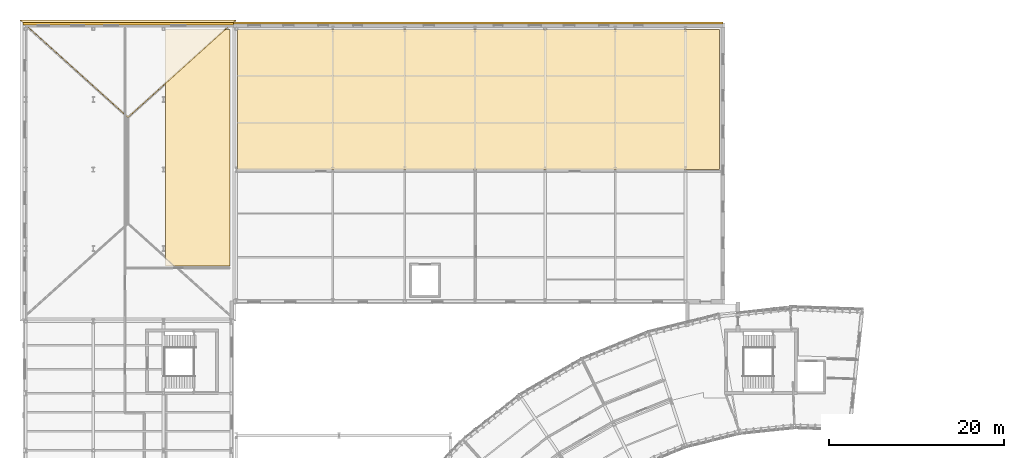
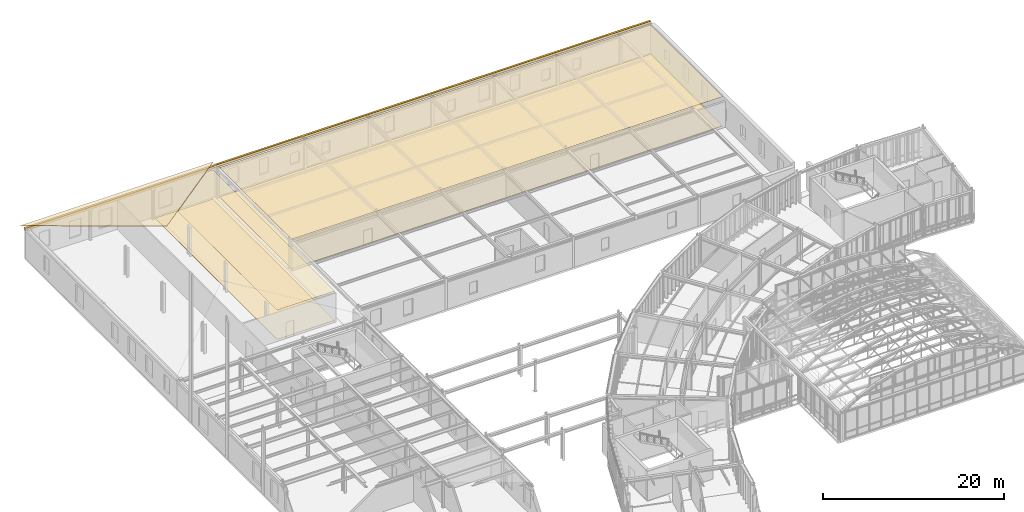
# One storey, part 145 of 148: 7 coverings.
"""IFC4 building model written with IfcOpenShell, lengths in metres."""

import ifcopenshell
import ifcopenshell.guid

model = None  # the IFC model being written
_history = None  # IfcOwnerHistory: only IFC2X3 demands one
_inside = {}  # id of a spatial element -> (the spatial element, [elements in it])
_under = {}  # id of a project, library or spatial element -> (it, [spatial elements below it])
_declared = {}  # id of a project -> (the project, [libraries it declares])
_typed = {}  # id of a type object -> (the type object, [elements of that type])
_made_of = {}  # id of a material, layer set ... -> (it, [elements and type objects made of it])


def new_model(schema):
    """Start an empty IFC model of exactly this schema.

    Asked for "IFC4X3", IfcOpenShell would pick the latest addendum, in which some entities
    have other attributes; the version numbers below select the first issue.
    IFC2X3 requires an IfcOwnerHistory on every rooted entity: one is made here for all.
    """
    global model, _history
    if schema == "IFC4X3":
        model = ifcopenshell.file(schema_version=(4, 3, 0, 0))
    else:
        model = ifcopenshell.file(schema=schema)
    _inside.clear()
    _under.clear()
    _declared.clear()
    _typed.clear()
    _made_of.clear()
    _history = None
    if model.schema == "IFC2X3":
        org = make("IfcOrganization", Name="unknown")
        user = make(
            "IfcPersonAndOrganization",
            ThePerson=make("IfcPerson", FamilyName="unknown"),
            TheOrganization=org,
        )
        app = make(
            "IfcApplication",
            ApplicationDeveloper=org,
            Version="unknown",
            ApplicationFullName="unknown",
            ApplicationIdentifier="unknown",
        )
        _history = make(
            "IfcOwnerHistory",
            OwningUser=user,
            OwningApplication=app,
            ChangeAction="ADDED",
            CreationDate=0,
        )
    return model


def make(cls, **values):
    """One entity of the class cls with the attributes given. An attribute that is None is left unset."""
    return model.create_entity(
        cls, **{name: value for name, value in values.items() if value is not None}
    )


def rooted(cls, **values):
    """An entity with a GlobalId (a new one), such as an element, a storey or a relation."""
    return make(cls, GlobalId=ifcopenshell.guid.new(), OwnerHistory=_history, **values)


def si_unit(unit_type, name, prefix=None):
    """IfcSIUnit, for example si_unit("LENGTHUNIT", "METRE", prefix="MILLI")."""
    return make("IfcSIUnit", UnitType=unit_type, Prefix=prefix, Name=name)


def assignment(units):
    """IfcUnitAssignment: the units of a project."""
    return None if units is None else make("IfcUnitAssignment", Units=units)


def point(xyz):
    """IfcCartesianPoint."""
    return None if xyz is None else make("IfcCartesianPoint", Coordinates=xyz)


def direction(xyz):
    """IfcDirection."""
    return None if xyz is None else make("IfcDirection", DirectionRatios=xyz)


def frame(location, z_axis=None, x_axis=None):
    """IfcAxis2Placement3D, a coordinate frame: its origin and axes. An axis left out is left unset."""
    return make(
        "IfcAxis2Placement3D",
        Location=point(location),
        Axis=direction(z_axis),
        RefDirection=direction(x_axis),
    )


def frame_2d(location, x_axis=None):
    """IfcAxis2Placement2D, a coordinate frame in the plane: its origin and x axis."""
    return make(
        "IfcAxis2Placement2D", Location=point(location), RefDirection=direction(x_axis)
    )


def origin():
    """The frame at (0, 0, 0) with its axes left unset."""
    return frame((0.0, 0.0, 0.0))


def origin_2d():
    """The frame at (0, 0) in the plane with its x axis left unset."""
    return frame_2d((0.0, 0.0))


def place(relative_to, where):
    """IfcLocalPlacement: puts the frame where relative to a parent placement (None: the world)."""
    return make(
        "IfcLocalPlacement", PlacementRelTo=relative_to, RelativePlacement=where
    )


def context(
    kind, dimensions, precision=None, world=None, true_north=None, identifier=None
):
    """IfcGeometricRepresentationContext, for example the 3D "Model" context."""
    return make(
        "IfcGeometricRepresentationContext",
        ContextIdentifier=identifier,
        ContextType=kind,
        CoordinateSpaceDimension=dimensions,
        Precision=precision,
        WorldCoordinateSystem=world,
        TrueNorth=true_north,
    )


def subcontext(parent, identifier, kind, view, scale=None):
    """IfcGeometricRepresentationSubContext, for example "Body" below "Model"."""
    return make(
        "IfcGeometricRepresentationSubContext",
        ContextIdentifier=identifier,
        ContextType=kind,
        ParentContext=parent,
        TargetScale=scale,
        TargetView=view,
    )


def project(units=None, contexts=None):
    """IfcProject with its units and contexts."""
    return rooted(
        "IfcProject",
        Name="project",
        RepresentationContexts=contexts,
        UnitsInContext=assignment(units),
    )


def spatial(cls, under=None, at=None, **own):
    """A site, building, storey or space (cls), placed at a placement, below another one or the project."""
    s = rooted(cls, ObjectPlacement=at, **own)
    if under is not None:
        _under.setdefault(under.id(), (under, []))[1].append(s)
    return s


def polyline(points):
    """IfcPolyline through the points."""
    return make("IfcPolyline", Points=[point(p) for p in points])


def profile(cls, at=None, kind="AREA", **sizes):
    """A parametric profile (cls). Its sizes go by their IFC names, for example OverallWidth=200.0."""
    return make(cls, ProfileType=kind, Position=at, **sizes)


def rectangle(**sizes):
    """IfcRectangleProfileDef."""
    return profile("IfcRectangleProfileDef", **sizes)


def outline(outer, holes=None, kind="AREA"):
    """IfcArbitraryClosedProfileDef: a profile drawn as a closed curve; with holes, ...WithVoids."""
    if holes is None:
        return make("IfcArbitraryClosedProfileDef", ProfileType=kind, OuterCurve=outer)
    return make(
        "IfcArbitraryProfileDefWithVoids",
        ProfileType=kind,
        OuterCurve=outer,
        InnerCurves=holes,
    )


def extrude(swept, where, along, depth):
    """IfcExtrudedAreaSolid: the profile swept, set in the frame where, extruded along a direction by depth."""
    return make(
        "IfcExtrudedAreaSolid",
        SweptArea=swept,
        Position=where,
        ExtrudedDirection=direction(along),
        Depth=depth,
    )


def shape(context_of_items, identifier, shape_type, items):
    """IfcShapeRepresentation: the items that make up one representation, for example the "Body"."""
    return make(
        "IfcShapeRepresentation",
        ContextOfItems=context_of_items,
        RepresentationIdentifier=identifier,
        RepresentationType=shape_type,
        Items=items,
    )


def material(Name=None, Category=None):
    """IfcMaterial."""
    return make("IfcMaterial", Name=Name, Category=Category)


def layer(
    of_material, thickness, ventilated=None, Name=None, Category=None, Priority=None
):
    """IfcMaterialLayer: one layer of a wall or slab, of a material (None: an air gap)."""
    return make(
        "IfcMaterialLayer",
        Material=of_material,
        LayerThickness=thickness,
        IsVentilated=ventilated,
        Name=Name,
        Category=Category,
        Priority=Priority,
    )


def layer_set(layers, Name=None):
    """IfcMaterialLayerSet."""
    return make("IfcMaterialLayerSet", MaterialLayers=layers, LayerSetName=Name)


def made_of(thing, what):
    """Note that an element or type object is made of a material, layer set ...; save() writes the relation."""
    if what is not None:
        _made_of.setdefault(what.id(), (what, []))[1].append(thing)
    return thing


def type_object(cls, material=None, **own):
    """A type object (cls), such as IfcWallType, which elements share."""
    return made_of(rooted(cls, **own), material)


def element(
    cls,
    number,
    at=None,
    inside=None,
    cuts=None,
    type_object=None,
    material=None,
    context=None,
    identifier="Body",
    shape_type=None,
    held_by="IfcProductDefinitionShape",
    body=None,
    shapes=None,
    **own,
):
    """One element of the class cls, such as IfcWall. Its Tag is "e" and its number.

    at: its placement. inside: the storey or other place that contains it. cuts: it is an
    opening in that element (IfcRelVoidsElement). A single representation is given by context,
    identifier, shape_type and body (its items); several are given by shapes. held_by: the class
    of the entity that holds the representations. save() writes the other relations.
    """
    e = rooted(cls, Tag="e%d" % number, ObjectPlacement=at, **own)
    if body is not None:
        shapes = [shape(context, identifier, shape_type, body)]
    if shapes is not None:
        e.Representation = make(held_by, Representations=shapes)
    if inside is not None:
        _inside.setdefault(inside.id(), (inside, []))[1].append(e)
    if cuts is not None:
        rooted(
            "IfcRelVoidsElement", RelatingBuildingElement=cuts, RelatedOpeningElement=e
        )
    if type_object is not None:
        _typed.setdefault(type_object.id(), (type_object, []))[1].append(e)
    return made_of(e, material)


def aggregate(whole, parts):
    """IfcRelAggregates: a whole, such as a stair, and the parts it consists of."""
    return rooted("IfcRelAggregates", RelatingObject=whole, RelatedObjects=parts)


def save(model, path):
    """Write the relations noted so far, then the file.

    IfcRelAggregates (storeys below a building ...), IfcRelContainedInSpatialStructure (elements
    in a storey), IfcRelDefinesByType, IfcRelAssociatesMaterial and IfcRelDeclares: one each for
    every whole, place, type object, material and project.
    """
    for whole, parts in _under.values():
        aggregate(whole, parts)
    for where, things in _inside.values():
        rooted(
            "IfcRelContainedInSpatialStructure",
            RelatedElements=things,
            RelatingStructure=where,
        )
    for kind, things in _typed.values():
        rooted("IfcRelDefinesByType", RelatedObjects=things, RelatingType=kind)
    for what, things in _made_of.values():
        rooted("IfcRelAssociatesMaterial", RelatedObjects=things, RelatingMaterial=what)
    for by, libraries in _declared.values():
        rooted("IfcRelDeclares", RelatingContext=by, RelatedDefinitions=libraries)
    model.write(path)


model = new_model("IFC4")

# Units and contexts
model_context = context("Model", 3, precision=1e-05, world=origin(), true_north=direction((0.0, 1.0)))
body_context = subcontext(model_context, "Body", "Model", "MODEL_VIEW")
ifc_project = project(units=[si_unit("LENGTHUNIT", "METRE"), si_unit("AREAUNIT", "SQUARE_METRE"), si_unit("VOLUMEUNIT", "CUBIC_METRE"), si_unit("PLANEANGLEUNIT", "RADIAN"), si_unit("MASSUNIT", "GRAM", prefix="KILO"), si_unit("THERMODYNAMICTEMPERATUREUNIT", "KELVIN"), si_unit("POWERUNIT", "WATT")], contexts=[model_context])

# Site, building, storey
site_placement = place(None, origin())
site = spatial("IfcSite", under=ifc_project, at=site_placement, CompositionType="ELEMENT")
building_placement = place(site_placement, origin())
building = spatial("IfcBuilding", under=site, at=building_placement, Name="Solvatero Civic Police Headquarters", CompositionType="ELEMENT")
storey_placement = place(building_placement, frame((0.0, 0.0, 5.10009765625)))
storey = spatial("IfcBuildingStorey", under=building, at=storey_placement, Name="L01", CompositionType="ELEMENT", Elevation=5.10009765625)

# Coverings
ifc_material_1 = material(Name="Mineral-Fibre Acoustic Tile", Category="gypsum")
ifc_layer_1 = layer(ifc_material_1, 0.02490234375)
ifc_layer_set_1 = layer_set([ifc_layer_1], Name="Mineral-Fibre Acoustic Tile")
covering_type_1 = type_object("IfcCoveringType", Name="COV-CEIL-AC", PredefinedType="CEILING", material=ifc_layer_set_1)
covering_1_placement = place(storey_placement, frame((0.0, 0.0, 3.954833984375)))
element("IfcCovering", 1, at=covering_1_placement, inside=storey, type_object=covering_type_1, Name="Acoustic Ceiling Canine and Mounted Unit Operations Office", PredefinedType="CEILING", context=body_context, shape_type="SweptSolid", body=[
    extrude(outline(polyline([(20.719970703125, 89.52001953125), (20.719970703125, 116.47998046875), (28.080078125, 116.47998046875), (28.080078125, 89.52001953125), (20.719970703125, 89.52001953125)])), origin(), (0.0, 0.0, 1.0), 0.025146484375),
])
covering_2_placement = place(storey_placement, frame((0.0, 0.0, 3.954833984375)))
element("IfcCovering", 2, at=covering_2_placement, inside=storey, type_object=covering_type_1, Name="Acoustic Ceiling Dedicated Custody Smoke-Extract AHU Plantroom", PredefinedType="CEILING", context=body_context, shape_type="SweptSolid", body=[
    extrude(outline(polyline([(28.919921875, 100.52001953125), (28.919921875, 116.47998046875), (83.8798828125, 116.47998046875), (83.8798828125, 100.52001953125), (28.919921875, 100.52001953125)])), origin(), (0.0, 0.0, 1.0), 0.025146484375),
])
ifc_material_2 = material(Name="Venetian Terrazzo Stone", Category="masonry")
ifc_layer_2 = layer(ifc_material_2, 0.034912109375)
ifc_layer_set_2 = layer_set([ifc_layer_2], Name="Venetian Terrazzo Stone")
covering_type_2 = type_object("IfcCoveringType", Name="COV-FLR-TER", PredefinedType="FLOORING", material=ifc_layer_set_2)
covering_3_placement = place(storey_placement, origin())
element("IfcCovering", 3, at=covering_3_placement, inside=storey, type_object=covering_type_2, Name="Flooring Canine and Mounted Unit Operations Office", PredefinedType="FLOORING", context=body_context, shape_type="SweptSolid", body=[
    extrude(outline(polyline([(20.719970703125, 89.52001953125), (20.719970703125, 116.47998046875), (28.080078125, 116.47998046875), (28.080078125, 89.52001953125), (20.719970703125, 89.52001953125)])), origin(), (0.0, 0.0, 1.0), 0.034912109375),
])
covering_4_placement = place(storey_placement, origin())
element("IfcCovering", 4, at=covering_4_placement, inside=storey, type_object=covering_type_2, Name="Flooring Dedicated Custody Smoke-Extract AHU Plantroom", PredefinedType="FLOORING", context=body_context, shape_type="SweptSolid", body=[
    extrude(outline(polyline([(28.919921875, 100.52001953125), (28.919921875, 116.47998046875), (83.8798828125, 116.47998046875), (83.8798828125, 100.52001953125), (28.919921875, 100.52001953125)])), origin(), (0.0, 0.0, 1.0), 0.034912109375),
])
ifc_material_3 = material(Name="Lombard Terracotta Clay Tile", Category="masonry")
ifc_layer_3 = layer(ifc_material_3, 0.06005859375)
ifc_layer_set_3 = layer_set([ifc_layer_3], Name="Lombard Terracotta Clay Tile")
covering_type_3 = type_object("IfcCoveringType", Name="COV-RF-TILE", PredefinedType="ROOFING", material=ifc_layer_set_3)
covering_5_placement = place(storey_placement, frame((28.760009765625, 117.56005859375, 4.169921875), z_axis=(0.0, 0.210210974665, 0.977656046946), x_axis=(-1.0, 0.0, 0.0)))
element("IfcCovering", 5, at=covering_5_placement, inside=storey, type_object=covering_type_3, Name="V7NW Lombard Terracotta Hipped Roof Covering N", PredefinedType="ROOFING", context=body_context, shape_type="SweptSolid", body=[
    extrude(outline(polyline([(0.0, 0.0), (24.6201171875, 0.0), (12.31005859375, 11.369019062576532), (0.0, 0.0)])), origin(), (0.0, 0.0, -1.0), 0.06005859375),
])
ifc_material_4 = material(Name="Cream Limestone Ashlar", Category="masonry")
ifc_layer_4 = layer(ifc_material_4, 0.10009765625)
ifc_layer_set_4 = layer_set([ifc_layer_4], Name="Cream Limestone Ashlar")
covering_type_4 = type_object("IfcCoveringType", Name="COV-TRIM-STONE", PredefinedType="CLADDING", material=ifc_layer_set_4)
covering_6_placement = place(storey_placement, frame((16.5, 117.1201171875, 3.6796875), z_axis=(0.0, 0.0, 1.0), x_axis=(1.0, 0.0, 0.0)))
element("IfcCovering", 6, at=covering_6_placement, inside=storey, type_object=covering_type_4, Name="Classical Limestone Trim TRIM-V7NW-L01-N", PredefinedType="CLADDING", context=body_context, shape_type="SweptSolid", body=[
    extrude(rectangle(XDim=24.0, YDim=0.280029296875, at=origin_2d()), origin(), (0.0, 0.0, 1.0), 0.340087890625),
])
covering_7_placement = place(storey_placement, frame((56.3798828125, 117.219970703125, 3.6396484375), z_axis=(0.0, 0.0, 1.0), x_axis=(1.0, 0.0, 0.0)))
element("IfcCovering", 7, at=covering_7_placement, inside=storey, type_object=covering_type_4, Name="Classical Limestone Trim TRIM-V7-L01-N", PredefinedType="CLADDING", context=body_context, shape_type="SweptSolid", body=[
    extrude(rectangle(XDim=55.760009765625, YDim=0.260009765625, at=origin_2d()), origin(), (0.0, 0.0, 1.0), 0.320068359375),
])

save(model, "model.ifc")
